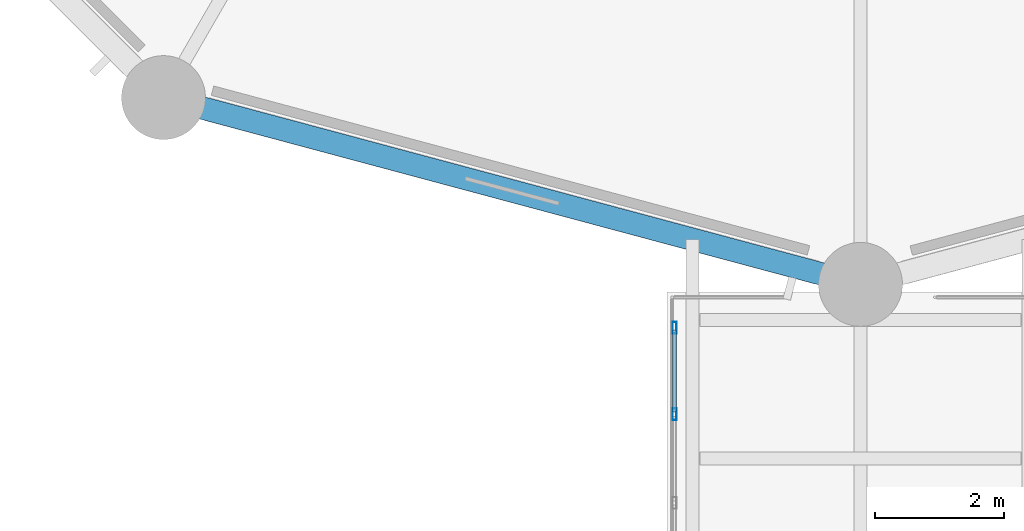
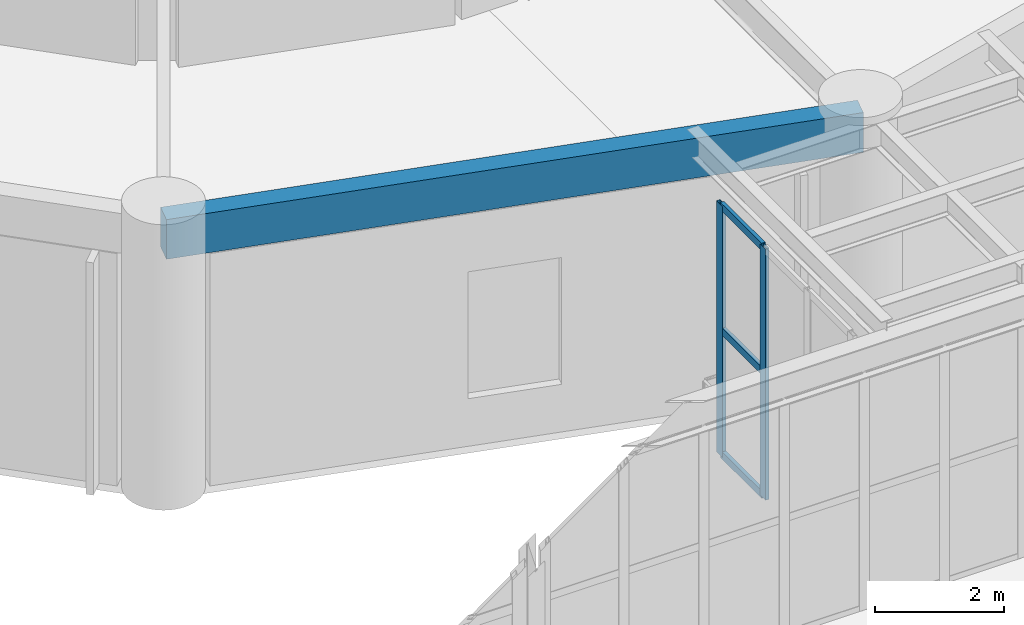
# One storey, part 52 of 155: 5 members, 1 beam, 1 element without a shape of its own.
"""IFC4 building model written with IfcOpenShell, lengths in metres."""

from ifc_helpers import new_model, si_unit, direction, frame, origin, origin_2d, place, context, subcontext, project, spatial, rectangle, hollow_rectangle, extrude, material, material_profile, profile_set, type_object, element, aggregate, save


model = new_model("IFC4")

# Units and contexts
model_context = context("Model", 3, precision=1e-05, world=origin(), true_north=direction((0.0, 1.0)))
body_context = subcontext(model_context, "Body", "Model", "MODEL_VIEW")
ifc_project = project(units=[si_unit("LENGTHUNIT", "METRE"), si_unit("AREAUNIT", "SQUARE_METRE"), si_unit("VOLUMEUNIT", "CUBIC_METRE"), si_unit("PLANEANGLEUNIT", "RADIAN"), si_unit("MASSUNIT", "GRAM", prefix="KILO")], contexts=[model_context])

# Site, building, storey
site_placement = place(None, origin())
site = spatial("IfcSite", under=ifc_project, at=site_placement, CompositionType="ELEMENT")
building_placement = place(site_placement, origin())
building = spatial("IfcBuilding", under=site, at=building_placement, Name="Haizhuo Lancet Aquarium", CompositionType="ELEMENT")
storey_placement = place(building_placement, frame((0.0, 0.0, 10.800048828125)))
storey = spatial("IfcBuildingStorey", under=building, at=storey_placement, Name="L02", CompositionType="ELEMENT", Elevation=10.800048828125)

# Curtain wall, members
ifc_material_1 = material(Name="Aluminium 6063-T6", Category="aluminium")
curtain_wall_type = type_object("IfcCurtainWallType", Name="CWO-4120x4750", PredefinedType="NOTDEFINED", material=ifc_material_1)
curtain_wall_placement = place(storey_placement, origin())
curtain_wall = element("IfcCurtainWall", 1, at=curtain_wall_placement, inside=storey, type_object=curtain_wall_type, Name="L02 curtain wall CW-SB-04-W1", PredefinedType="NOTDEFINED")
ifc_material_profile_1 = material_profile(ifc_material_1, hollow_rectangle(XDim=0.06494140625, YDim=0.179931640625, WallThickness=0.00390625, at=origin_2d()), Name="ALU-M 65x180x4")
ifc_profile_set_1 = profile_set([ifc_material_profile_1], Name="Aluminium 6063-T6")
member_type_1 = type_object("IfcMemberType", Name="CW-MUL-1", PredefinedType="MULLION", material=ifc_profile_set_1)
member_1_placement = place(storey_placement, frame((-2.8798828125, -23.613037109375, 0.0), z_axis=(0.0, 0.0, 1.0), x_axis=(-1.0, 0.0, 0.0)))
member_1 = element("IfcMember", 2, at=member_1_placement, type_object=member_type_1, Name="CWO-41x47 mullion 3", PredefinedType="MULLION", context=body_context, shape_type="SweptSolid", body=[
    extrude(hollow_rectangle(XDim=0.06494140625, YDim=0.179931640625, WallThickness=0.00390625, at=origin_2d()), origin(), (0.0, 0.0, 1.0), 4.75),
])
member_2_placement = place(storey_placement, frame((-2.8798828125, -22.27197265625, 0.0), z_axis=(0.0, 0.0, 1.0), x_axis=(-1.0, 0.0, 0.0)))
member_2 = element("IfcMember", 3, at=member_2_placement, type_object=member_type_1, Name="CWO-41x47 mullion 4", PredefinedType="MULLION", context=body_context, shape_type="SweptSolid", body=[
    extrude(hollow_rectangle(XDim=0.06494140625, YDim=0.179931640625, WallThickness=0.00390625, at=origin_2d()), origin(), (0.0, 0.0, 1.0), 4.75),
])
ifc_material_profile_2 = material_profile(ifc_material_1, hollow_rectangle(XDim=0.06494140625, YDim=0.139892578125, WallThickness=0.00390625, at=origin_2d()), Name="ALU-T 65x140x4")
ifc_profile_set_2 = profile_set([ifc_material_profile_2], Name="Aluminium 6063-T6")
member_type_2 = type_object("IfcMemberType", Name="CW-TRN-1", PredefinedType="NOTDEFINED", material=ifc_profile_set_2)
member_3_placement = place(storey_placement, frame((-2.8798828125, -23.5810546875, 0.032958984375), z_axis=(0.0, 1.0, 0.0), x_axis=(-1.0, 0.0, 0.0)))
member_3 = element("IfcMember", 4, at=member_3_placement, type_object=member_type_2, Name="CWO-41x47 transom 3.1", ObjectType="TRANSOM", PredefinedType="USERDEFINED", context=body_context, shape_type="SweptSolid", body=[
    extrude(hollow_rectangle(XDim=0.06494140625, YDim=0.139892578125, WallThickness=0.00390625, at=origin_2d()), origin(), (0.0, 0.0, 1.0), 1.276123046875),
])
member_4_placement = place(storey_placement, frame((-2.8798828125, -23.5810546875, 2.375), z_axis=(0.0, 1.0, 0.0), x_axis=(-1.0, 0.0, 0.0)))
member_4 = element("IfcMember", 5, at=member_4_placement, type_object=member_type_2, Name="CWO-41x47 transom 3.2", ObjectType="TRANSOM", PredefinedType="USERDEFINED", context=body_context, shape_type="SweptSolid", body=[
    extrude(hollow_rectangle(XDim=0.06494140625, YDim=0.139892578125, WallThickness=0.00390625, at=origin_2d()), origin(), (0.0, 0.0, 1.0), 1.276123046875),
])
member_5_placement = place(storey_placement, frame((-2.8798828125, -23.5810546875, 4.718017578125), z_axis=(0.0, 1.0, 0.0), x_axis=(-1.0, 0.0, 0.0)))
member_5 = element("IfcMember", 6, at=member_5_placement, type_object=member_type_2, Name="CWO-41x47 transom 3.3", ObjectType="TRANSOM", PredefinedType="USERDEFINED", context=body_context, shape_type="SweptSolid", body=[
    extrude(hollow_rectangle(XDim=0.06494140625, YDim=0.139892578125, WallThickness=0.00390625, at=origin_2d()), origin(), (0.0, 0.0, 1.0), 1.276123046875),
])
aggregate(curtain_wall, [member_1, member_2, member_3, member_4, member_5])

# Beam
ifc_material_2 = material(Name="Concrete C40/50", Category="concrete")
ifc_material_profile_3 = material_profile(ifc_material_2, rectangle(XDim=0.35009765625, YDim=0.75, at=origin_2d()), Name="RC-SP 350x750")
ifc_profile_set_3 = profile_set([ifc_material_profile_3], Name="Concrete C40/50")
beam_type = type_object("IfcBeamType", Name="SPN-RC-350x750", PredefinedType="SPANDREL", material=ifc_profile_set_3)
beam_placement = place(storey_placement, frame((-10.800048828125, -18.7060546875, 4.784912109375), z_axis=(0.965921832664, -0.258833949056, 0.0), x_axis=(0.258833949056, 0.965921832664, 0.0)))
element("IfcBeam", 7, at=beam_placement, inside=storey, type_object=beam_type, Name="L02 drum perimeter spandrel 9", PredefinedType="SPANDREL", context=body_context, shape_type="SweptSolid", body=[
    extrude(rectangle(XDim=0.35009765625, YDim=0.75, at=origin_2d()), origin(), (0.0, 0.0, 1.0), 11.18115234375),
])

save(model, "model.ifc")
